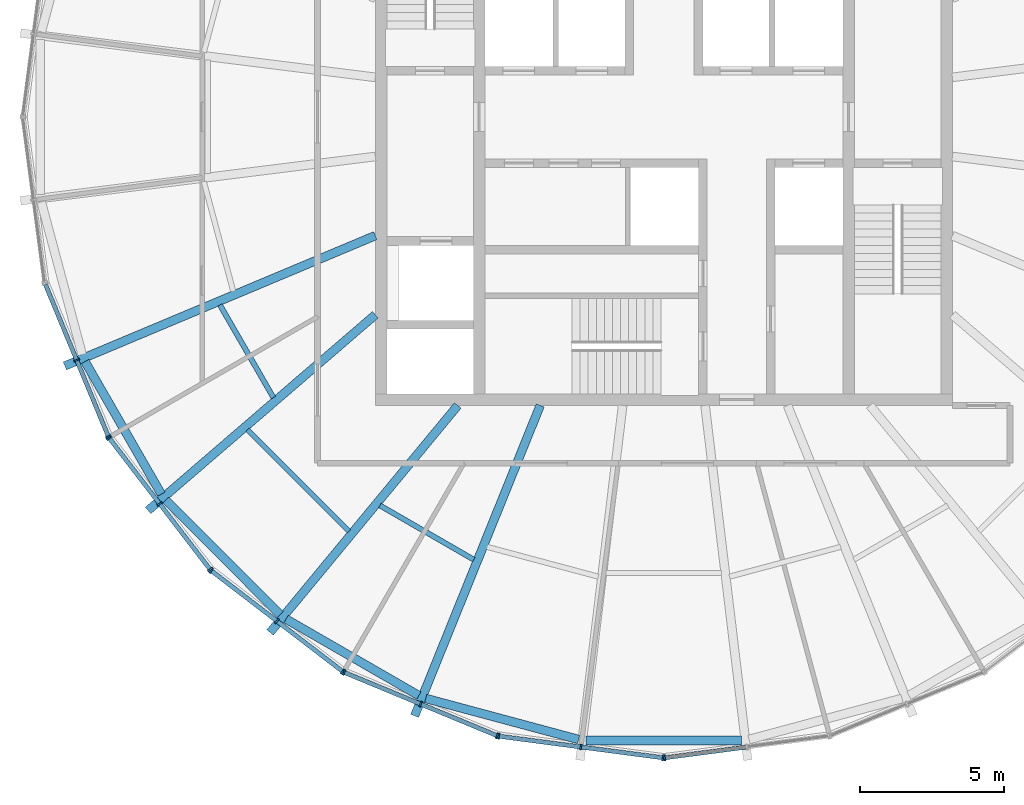
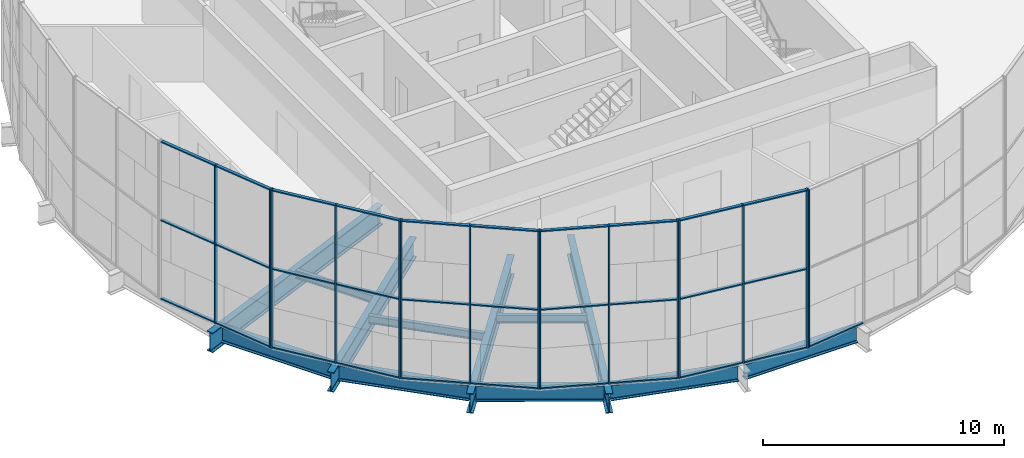
# One storey, part 1 of 19: 46 members, 12 beams, 6 elements without a shape of their own.
"""IFC4 building model written with IfcOpenShell, lengths in metres."""

from ifc_helpers import new_model, si_unit, direction, frame, origin, origin_2d, place, context, subcontext, project, spatial, rectangle, i_section, extrude, material, material_profile, profile_set, type_object, element, aggregate, save


model = new_model("IFC4")

# Units and contexts
model_context = context("Model", 3, precision=1e-05, world=origin(), true_north=direction((0.0, 1.0)))
body_context = subcontext(model_context, "Body", "Model", "MODEL_VIEW")
ifc_project = project(units=[si_unit("LENGTHUNIT", "METRE"), si_unit("AREAUNIT", "SQUARE_METRE"), si_unit("VOLUMEUNIT", "CUBIC_METRE"), si_unit("PLANEANGLEUNIT", "RADIAN"), si_unit("MASSUNIT", "GRAM", prefix="KILO")], contexts=[model_context])

# Site, building, storey
site_placement = place(None, origin())
site = spatial("IfcSite", under=ifc_project, at=site_placement, CompositionType="ELEMENT")
building_placement = place(site_placement, origin())
building = spatial("IfcBuilding", under=site, at=building_placement, Name="Golbaran Civic Tower", CompositionType="ELEMENT")
storey_placement = place(building_placement, frame((0.0, 0.0, 256.0)))
storey = spatial("IfcBuildingStorey", under=building, at=storey_placement, Name="L62", CompositionType="ELEMENT", Elevation=256.0)

# Beams
ifc_material_1 = material(Name="Steel S355", Category="steel")
ifc_material_profile_1 = material_profile(ifc_material_1, i_section(OverallWidth=0.300048828125, OverallDepth=0.800048828125, WebThickness=0.017578125, FlangeThickness=0.032958984375, FilletRadius=0.030029296875, at=origin_2d()), Name="HEB 800")
ifc_profile_set_1 = profile_set([ifc_material_profile_1], Name="Steel S355")
beam_type_1 = type_object("IfcBeamType", Name="EDGE BEAM HEB 800", PredefinedType="BEAM", material=ifc_profile_set_1)
beam_1_placement = place(storey_placement, frame((-20.058837890625, -8.4775390625, -0.60009765625), z_axis=(0.498581864812, -0.866842617827, 0.0), x_axis=(0.866842617827, 0.498581864812, 0.0)))
element("IfcBeam", 1, at=beam_1_placement, inside=storey, type_object=beam_type_1, Name="Edge beam 202.58 L62", PredefinedType="BEAM", context=body_context, shape_type="SweptSolid", body=[
    extrude(i_section(OverallWidth=0.300048828125, OverallDepth=0.800048828125, WebThickness=0.017578125, FlangeThickness=0.032958984375, FilletRadius=0.030029296875, at=origin_2d()), origin(), (0.0, 0.0, 1.0), 5.3017578125),
])
beam_2_placement = place(storey_placement, frame((-17.257568359375, -13.2802734375, -0.60009765625), z_axis=(0.706714343881, -0.707499000814, 0.0), x_axis=(0.707499000814, 0.706714343881, 0.0)))
element("IfcBeam", 2, at=beam_2_placement, inside=storey, type_object=beam_type_1, Name="Edge beam 217.42 L62", PredefinedType="BEAM", context=body_context, shape_type="SweptSolid", body=[
    extrude(i_section(OverallWidth=0.300048828125, OverallDepth=0.800048828125, WebThickness=0.017578125, FlangeThickness=0.032958984375, FilletRadius=0.030029296875, at=origin_2d()), origin(), (0.0, 0.0, 1.0), 5.6005859375),
])
beam_3_placement = place(storey_placement, frame((-13.093017578125, -17.40087890625, -0.60009765625), z_axis=(0.866418166458, -0.499319097203, 0.0), x_axis=(0.499319097203, 0.866418166458, 0.0)))
element("IfcBeam", 3, at=beam_3_placement, inside=storey, type_object=beam_type_1, Name="Edge beam 232.58 L62", PredefinedType="BEAM", context=body_context, shape_type="SweptSolid", body=[
    extrude(i_section(OverallWidth=0.300048828125, OverallDepth=0.800048828125, WebThickness=0.017578125, FlangeThickness=0.032958984375, FilletRadius=0.030029296875, at=origin_2d()), origin(), (0.0, 0.0, 1.0), 5.310546875),
])
beam_4_placement = place(storey_placement, frame((-8.251708984375, -20.152099609375, -0.60009765625), z_axis=(0.965784409485, -0.259346244228, 0.0), x_axis=(0.259346244228, 0.965784409485, 0.0)))
element("IfcBeam", 4, at=beam_4_placement, inside=storey, type_object=beam_type_1, Name="Edge beam 247.42 L62", PredefinedType="BEAM", context=body_context, shape_type="SweptSolid", body=[
    extrude(i_section(OverallWidth=0.300048828125, OverallDepth=0.800048828125, WebThickness=0.017578125, FlangeThickness=0.032958984375, FilletRadius=0.030029296875, at=origin_2d()), origin(), (0.0, 0.0, 1.0), 5.486328125),
])
beam_5_placement = place(storey_placement, frame((-2.6953125, -21.60888671875, -0.60009765625), z_axis=(1.0, 0.0, 0.0), x_axis=(0.0, 1.0, 0.0)))
element("IfcBeam", 5, at=beam_5_placement, inside=storey, type_object=beam_type_1, Name="Edge beam 262.58 L62", PredefinedType="BEAM", context=body_context, shape_type="SweptSolid", body=[
    extrude(i_section(OverallWidth=0.300048828125, OverallDepth=0.800048828125, WebThickness=0.017578125, FlangeThickness=0.032958984375, FilletRadius=0.030029296875, at=origin_2d()), origin(), (0.0, 0.0, 1.0), 5.390625),
])
ifc_material_profile_2 = material_profile(ifc_material_1, i_section(OverallWidth=0.179931640625, OverallDepth=0.39990234375, WebThickness=0.008544921875, FlangeThickness=0.013427734375, FilletRadius=0.02099609375, at=origin_2d()), Name="IPE 400")
ifc_profile_set_2 = profile_set([ifc_material_profile_2], Name="Steel S355")
beam_type_2 = type_object("IfcBeamType", Name="FLOOR INFILL BEAM IPE 400", PredefinedType="BEAM", material=ifc_profile_set_2)
beam_6_placement = place(storey_placement, frame((-15.38427734375, -6.515380859375, -0.39990234375), z_axis=(0.500005526257, -0.866022213175, 0.0), x_axis=(0.866022213175, 0.500005526257, 0.0)))
element("IfcBeam", 6, at=beam_6_placement, inside=storey, type_object=beam_type_2, Name="Infill beam 210.00 L62", PredefinedType="BEAM", context=body_context, shape_type="SweptSolid", body=[
    extrude(i_section(OverallWidth=0.179931640625, OverallDepth=0.39990234375, WebThickness=0.008544921875, FlangeThickness=0.013427734375, FilletRadius=0.02099609375, at=origin_2d()), origin(), (0.0, 0.0, 1.0), 3.7080078125),
])
beam_7_placement = place(storey_placement, frame((-14.427490234375, -10.842529296875, -0.39990234375), z_axis=(0.707106781187, -0.707106781187, 0.0), x_axis=(0.707106781187, 0.707106781187, 0.0)))
element("IfcBeam", 7, at=beam_7_placement, inside=storey, type_object=beam_type_2, Name="Infill beam 225.00 L62", PredefinedType="BEAM", context=body_context, shape_type="SweptSolid", body=[
    extrude(i_section(OverallWidth=0.179931640625, OverallDepth=0.39990234375, WebThickness=0.008544921875, FlangeThickness=0.013427734375, FilletRadius=0.02099609375, at=origin_2d()), origin(), (0.0, 0.0, 1.0), 4.9697265625),
])
beam_8_placement = place(storey_placement, frame((-9.8388671875, -13.465087890625, -0.39990234375), z_axis=(0.86603400694, -0.499985098601, 0.0), x_axis=(0.499985098601, 0.86603400694, 0.0)))
element("IfcBeam", 8, at=beam_8_placement, inside=storey, type_object=beam_type_2, Name="Infill beam 240.00 L62", PredefinedType="BEAM", context=body_context, shape_type="SweptSolid", body=[
    extrude(i_section(OverallWidth=0.179931640625, OverallDepth=0.39990234375, WebThickness=0.008544921875, FlangeThickness=0.013427734375, FilletRadius=0.02099609375, at=origin_2d()), origin(), (0.0, 0.0, 1.0), 3.7548828125),
])

# Curtain wall, members
ifc_material_2 = material(Name="Aluminium and glass", Category="aluminium")
curtain_wall_type = type_object("IfcCurtainWallType", Name="INNER SKIN CURTAIN WALL EXECUTIVE", PredefinedType="NOTDEFINED", material=ifc_material_2)
curtain_wall_1_placement = place(storey_placement, origin())
curtain_wall_1 = element("IfcCurtainWall", 9, at=curtain_wall_1_placement, inside=storey, type_object=curtain_wall_type, Name="Inner skin L62 facet 14 CW2", ObjectType="INNER SKIN", PredefinedType="USERDEFINED")
ifc_material_3 = material(Name="Aluminium", Category="aluminium")
ifc_material_profile_3 = material_profile(ifc_material_3, rectangle(XDim=0.199951171875, YDim=0.06005859375, at=origin_2d()), Name="INNER SKIN CURTAIN WALL EXECUTIVE MULLION")
ifc_profile_set_3 = profile_set([ifc_material_profile_3], Name="Aluminium")
member_type_1 = type_object("IfcMemberType", Name="INNER SKIN CURTAIN WALL EXECUTIVE MULLION", PredefinedType="MULLION", material=ifc_profile_set_3)
member_1_placement = place(storey_placement, frame((-20.3466796875, -8.427734375, 0.0), z_axis=(0.0, 0.0, 1.0), x_axis=(0.923879532511, 0.382683432365, 0.0)))
member_1 = element("IfcMember", 10, at=member_1_placement, type_object=member_type_1, Name="CW2 mullion 2", PredefinedType="MULLION", context=body_context, shape_type="SweptSolid", body=[
    extrude(rectangle(XDim=0.199951171875, YDim=0.06005859375, at=origin_2d()), origin(), (0.0, 0.0, 1.0), 8.0),
])
member_2_placement = place(storey_placement, frame((-19.24853515625, -11.078857421875, 0.0), z_axis=(0.0, 0.0, 1.0), x_axis=(0.923879532511, 0.382683432365, 0.0)))
member_2 = element("IfcMember", 11, at=member_2_placement, type_object=member_type_1, Name="CW2 mullion 3", PredefinedType="MULLION", context=body_context, shape_type="SweptSolid", body=[
    extrude(rectangle(XDim=0.199951171875, YDim=0.06005859375, at=origin_2d()), origin(), (0.0, 0.0, 1.0), 8.0),
])

curtain_wall_2_placement = place(storey_placement, origin())
curtain_wall_2 = element("IfcCurtainWall", 12, at=curtain_wall_2_placement, inside=storey, type_object=curtain_wall_type, Name="Inner skin L62 facet 15 CW2", ObjectType="INNER SKIN", PredefinedType="USERDEFINED")
member_3_placement = place(storey_placement, frame((-19.21875, -11.13037109375, 0.0), z_axis=(0.0, 0.0, 1.0), x_axis=(0.793353340238, 0.608761429078, 0.0)))
member_3 = element("IfcMember", 13, at=member_3_placement, type_object=member_type_1, Name="CW2 mullion 1", PredefinedType="MULLION", context=body_context, shape_type="SweptSolid", body=[
    extrude(rectangle(XDim=0.199951171875, YDim=0.06005859375, at=origin_2d()), origin(), (0.0, 0.0, 1.0), 8.0),
])
member_4_placement = place(storey_placement, frame((-17.471923828125, -13.40673828125, 0.0), z_axis=(0.0, 0.0, 1.0), x_axis=(0.793353340238, 0.608761429078, 0.0)))
member_4 = element("IfcMember", 14, at=member_4_placement, type_object=member_type_1, Name="CW2 mullion 2", PredefinedType="MULLION", context=body_context, shape_type="SweptSolid", body=[
    extrude(rectangle(XDim=0.199951171875, YDim=0.06005859375, at=origin_2d()), origin(), (0.0, 0.0, 1.0), 8.0),
])
member_5_placement = place(storey_placement, frame((-15.725341796875, -15.68310546875, 0.0), z_axis=(0.0, 0.0, 1.0), x_axis=(0.793353340238, 0.608761429078, 0.0)))
member_5 = element("IfcMember", 15, at=member_5_placement, type_object=member_type_1, Name="CW2 mullion 3", PredefinedType="MULLION", context=body_context, shape_type="SweptSolid", body=[
    extrude(rectangle(XDim=0.199951171875, YDim=0.06005859375, at=origin_2d()), origin(), (0.0, 0.0, 1.0), 8.0),
])

curtain_wall_3_placement = place(storey_placement, origin())
curtain_wall_3 = element("IfcCurtainWall", 16, at=curtain_wall_3_placement, inside=storey, type_object=curtain_wall_type, Name="Inner skin L62 facet 16 CW2", ObjectType="INNER SKIN", PredefinedType="USERDEFINED")
member_6_placement = place(storey_placement, frame((-15.68310546875, -15.725341796875, 0.0), z_axis=(0.0, 0.0, 1.0), x_axis=(0.608761429078, 0.793353340238, 0.0)))
member_6 = element("IfcMember", 17, at=member_6_placement, type_object=member_type_1, Name="CW2 mullion 1", PredefinedType="MULLION", context=body_context, shape_type="SweptSolid", body=[
    extrude(rectangle(XDim=0.199951171875, YDim=0.06005859375, at=origin_2d()), origin(), (0.0, 0.0, 1.0), 8.0),
])
member_7_placement = place(storey_placement, frame((-13.40673828125, -17.471923828125, 0.0), z_axis=(0.0, 0.0, 1.0), x_axis=(0.608761429078, 0.793353340238, 0.0)))
member_7 = element("IfcMember", 18, at=member_7_placement, type_object=member_type_1, Name="CW2 mullion 2", PredefinedType="MULLION", context=body_context, shape_type="SweptSolid", body=[
    extrude(rectangle(XDim=0.199951171875, YDim=0.06005859375, at=origin_2d()), origin(), (0.0, 0.0, 1.0), 8.0),
])
member_8_placement = place(storey_placement, frame((-11.13037109375, -19.21875, 0.0), z_axis=(0.0, 0.0, 1.0), x_axis=(0.608761429078, 0.793353340238, 0.0)))
member_8 = element("IfcMember", 19, at=member_8_placement, type_object=member_type_1, Name="CW2 mullion 3", PredefinedType="MULLION", context=body_context, shape_type="SweptSolid", body=[
    extrude(rectangle(XDim=0.199951171875, YDim=0.06005859375, at=origin_2d()), origin(), (0.0, 0.0, 1.0), 8.0),
])

curtain_wall_4_placement = place(storey_placement, origin())
curtain_wall_4 = element("IfcCurtainWall", 20, at=curtain_wall_4_placement, inside=storey, type_object=curtain_wall_type, Name="Inner skin L62 facet 17 CW2", ObjectType="INNER SKIN", PredefinedType="USERDEFINED")
member_9_placement = place(storey_placement, frame((-11.078857421875, -19.24853515625, 0.0), z_axis=(0.0, 0.0, 1.0), x_axis=(0.382683432365, 0.923879532511, 0.0)))
member_9 = element("IfcMember", 21, at=member_9_placement, type_object=member_type_1, Name="CW2 mullion 1", PredefinedType="MULLION", context=body_context, shape_type="SweptSolid", body=[
    extrude(rectangle(XDim=0.199951171875, YDim=0.06005859375, at=origin_2d()), origin(), (0.0, 0.0, 1.0), 8.0),
])
member_10_placement = place(storey_placement, frame((-8.427734375, -20.3466796875, 0.0), z_axis=(0.0, 0.0, 1.0), x_axis=(0.382683432365, 0.923879532511, 0.0)))
member_10 = element("IfcMember", 22, at=member_10_placement, type_object=member_type_1, Name="CW2 mullion 2", PredefinedType="MULLION", context=body_context, shape_type="SweptSolid", body=[
    extrude(rectangle(XDim=0.199951171875, YDim=0.06005859375, at=origin_2d()), origin(), (0.0, 0.0, 1.0), 8.0),
])
member_11_placement = place(storey_placement, frame((-5.77685546875, -21.444580078125, 0.0), z_axis=(0.0, 0.0, 1.0), x_axis=(0.382683432365, 0.923879532511, 0.0)))
member_11 = element("IfcMember", 23, at=member_11_placement, type_object=member_type_1, Name="CW2 mullion 3", PredefinedType="MULLION", context=body_context, shape_type="SweptSolid", body=[
    extrude(rectangle(XDim=0.199951171875, YDim=0.06005859375, at=origin_2d()), origin(), (0.0, 0.0, 1.0), 8.0),
])

curtain_wall_5_placement = place(storey_placement, origin())
curtain_wall_5 = element("IfcCurtainWall", 24, at=curtain_wall_5_placement, inside=storey, type_object=curtain_wall_type, Name="Inner skin L62 facet 18 CW2", ObjectType="INNER SKIN", PredefinedType="USERDEFINED")
member_12_placement = place(storey_placement, frame((-5.719482421875, -21.4599609375, 0.0), z_axis=(0.0, 0.0, 1.0), x_axis=(0.130526192272, 0.991444861367, 0.0)))
member_12 = element("IfcMember", 25, at=member_12_placement, type_object=member_type_1, Name="CW2 mullion 1", PredefinedType="MULLION", context=body_context, shape_type="SweptSolid", body=[
    extrude(rectangle(XDim=0.199951171875, YDim=0.06005859375, at=origin_2d()), origin(), (0.0, 0.0, 1.0), 8.0),
])
member_13_placement = place(storey_placement, frame((-2.87451171875, -21.83447265625, 0.0), z_axis=(0.0, 0.0, 1.0), x_axis=(0.130526192272, 0.991444861367, 0.0)))
member_13 = element("IfcMember", 26, at=member_13_placement, type_object=member_type_1, Name="CW2 mullion 2", PredefinedType="MULLION", context=body_context, shape_type="SweptSolid", body=[
    extrude(rectangle(XDim=0.199951171875, YDim=0.06005859375, at=origin_2d()), origin(), (0.0, 0.0, 1.0), 8.0),
])
member_14_placement = place(storey_placement, frame((-0.02978515625, -22.208984375, 0.0), z_axis=(0.0, 0.0, 1.0), x_axis=(0.130526192272, 0.991444861367, 0.0)))
member_14 = element("IfcMember", 27, at=member_14_placement, type_object=member_type_1, Name="CW2 mullion 3", PredefinedType="MULLION", context=body_context, shape_type="SweptSolid", body=[
    extrude(rectangle(XDim=0.199951171875, YDim=0.06005859375, at=origin_2d()), origin(), (0.0, 0.0, 1.0), 8.0),
])

# Curtain wall, member
curtain_wall_6_placement = place(storey_placement, origin())
curtain_wall_6 = element("IfcCurtainWall", 28, at=curtain_wall_6_placement, inside=storey, type_object=curtain_wall_type, Name="Inner skin L62 facet 19 CW2", ObjectType="INNER SKIN", PredefinedType="USERDEFINED")
member_15_placement = place(storey_placement, frame((0.02978515625, -22.208984375, 0.0), z_axis=(0.0, 0.0, 1.0), x_axis=(-0.130526192272, 0.991444861367, 0.0)))
member_15 = element("IfcMember", 29, at=member_15_placement, type_object=member_type_1, Name="CW2 mullion 1", PredefinedType="MULLION", context=body_context, shape_type="SweptSolid", body=[
    extrude(rectangle(XDim=0.199951171875, YDim=0.06005859375, at=origin_2d()), origin(), (0.0, 0.0, 1.0), 8.0),
])

# Member
ifc_material_profile_4 = material_profile(ifc_material_3, rectangle(XDim=0.14990234375, YDim=0.06005859375, at=origin_2d()), Name="INNER SKIN CURTAIN WALL EXECUTIVE TRANSOM")
ifc_profile_set_4 = profile_set([ifc_material_profile_4], Name="Aluminium")
member_type_2 = type_object("IfcMemberType", Name="INNER SKIN CURTAIN WALL EXECUTIVE TRANSOM", PredefinedType="USERDEFINED", material=ifc_profile_set_4)
member_16_placement = place(storey_placement, frame((-21.43310546875, -5.8046875, 0.030029296875), z_axis=(0.382646017682, -0.923895029293, 0.0), x_axis=(0.923895029293, 0.382646017682, 0.0)))
member_16 = element("IfcMember", 30, at=member_16_placement, type_object=member_type_2, Name="CW2 transom 1.1", ObjectType="TRANSOM", PredefinedType="USERDEFINED", context=body_context, shape_type="SweptSolid", body=[
    extrude(rectangle(XDim=0.14990234375, YDim=0.06005859375, at=origin_2d()), origin(), (0.0, 0.0, 1.0), 2.809326171875),
])

member_17_placement = place(storey_placement, frame((-21.43310546875, -5.8046875, 4.0), z_axis=(0.382646017682, -0.923895029293, 0.0), x_axis=(0.923895029293, 0.382646017682, 0.0)))
member_17 = element("IfcMember", 31, at=member_17_placement, type_object=member_type_2, Name="CW2 transom 1.2", ObjectType="TRANSOM", PredefinedType="USERDEFINED", context=body_context, shape_type="SweptSolid", body=[
    extrude(rectangle(XDim=0.14990234375, YDim=0.06005859375, at=origin_2d()), origin(), (0.0, 0.0, 1.0), 2.809326171875),
])

member_18_placement = place(storey_placement, frame((-21.43310546875, -5.8046875, 7.969970703125), z_axis=(0.382646017682, -0.923895029293, 0.0), x_axis=(0.923895029293, 0.382646017682, 0.0)))
member_18 = element("IfcMember", 32, at=member_18_placement, type_object=member_type_2, Name="CW2 transom 1.3", ObjectType="TRANSOM", PredefinedType="USERDEFINED", context=body_context, shape_type="SweptSolid", body=[
    extrude(rectangle(XDim=0.14990234375, YDim=0.06005859375, at=origin_2d()), origin(), (0.0, 0.0, 1.0), 2.809326171875),
])

member_19_placement = place(storey_placement, frame((-20.335205078125, -8.45556640625, 0.030029296875), z_axis=(0.382720195168, -0.923864304003, 0.0), x_axis=(0.923864304003, 0.382720195168, 0.0)))
member_19 = element("IfcMember", 33, at=member_19_placement, type_object=member_type_2, Name="CW2 transom 2.1", ObjectType="TRANSOM", PredefinedType="USERDEFINED", context=body_context, shape_type="SweptSolid", body=[
    extrude(rectangle(XDim=0.14990234375, YDim=0.06005859375, at=origin_2d()), origin(), (0.0, 0.0, 1.0), 2.809326171875),
])

member_20_placement = place(storey_placement, frame((-20.335205078125, -8.45556640625, 4.0), z_axis=(0.382720195168, -0.923864304003, 0.0), x_axis=(0.923864304003, 0.382720195168, 0.0)))
member_20 = element("IfcMember", 34, at=member_20_placement, type_object=member_type_2, Name="CW2 transom 2.2", ObjectType="TRANSOM", PredefinedType="USERDEFINED", context=body_context, shape_type="SweptSolid", body=[
    extrude(rectangle(XDim=0.14990234375, YDim=0.06005859375, at=origin_2d()), origin(), (0.0, 0.0, 1.0), 2.809326171875),
])

member_21_placement = place(storey_placement, frame((-20.335205078125, -8.45556640625, 7.969970703125), z_axis=(0.382720195168, -0.923864304003, 0.0), x_axis=(0.923864304003, 0.382720195168, 0.0)))
member_21 = element("IfcMember", 35, at=member_21_placement, type_object=member_type_2, Name="CW2 transom 2.3", ObjectType="TRANSOM", PredefinedType="USERDEFINED", context=body_context, shape_type="SweptSolid", body=[
    extrude(rectangle(XDim=0.14990234375, YDim=0.06005859375, at=origin_2d()), origin(), (0.0, 0.0, 1.0), 2.809326171875),
])

aggregate(curtain_wall_1, [member_1, member_2, member_16, member_17, member_18, member_19, member_20, member_21])

member_22_placement = place(storey_placement, frame((-19.200439453125, -11.154052734375, 0.030029296875), z_axis=(0.608765363283, -0.793350321401, 0.0), x_axis=(0.793350321401, 0.608765363283, 0.0)))
member_22 = element("IfcMember", 36, at=member_22_placement, type_object=member_type_2, Name="CW2 transom 1.1", ObjectType="TRANSOM", PredefinedType="USERDEFINED", context=body_context, shape_type="SweptSolid", body=[
    extrude(rectangle(XDim=0.14990234375, YDim=0.06005859375, at=origin_2d()), origin(), (0.0, 0.0, 1.0), 2.809326171875),
])

member_23_placement = place(storey_placement, frame((-19.200439453125, -11.154052734375, 4.0), z_axis=(0.608765363283, -0.793350321401, 0.0), x_axis=(0.793350321401, 0.608765363283, 0.0)))
member_23 = element("IfcMember", 37, at=member_23_placement, type_object=member_type_2, Name="CW2 transom 1.2", ObjectType="TRANSOM", PredefinedType="USERDEFINED", context=body_context, shape_type="SweptSolid", body=[
    extrude(rectangle(XDim=0.14990234375, YDim=0.06005859375, at=origin_2d()), origin(), (0.0, 0.0, 1.0), 2.809326171875),
])

member_24_placement = place(storey_placement, frame((-19.200439453125, -11.154052734375, 7.969970703125), z_axis=(0.608765363283, -0.793350321401, 0.0), x_axis=(0.793350321401, 0.608765363283, 0.0)))
member_24 = element("IfcMember", 38, at=member_24_placement, type_object=member_type_2, Name="CW2 transom 1.3", ObjectType="TRANSOM", PredefinedType="USERDEFINED", context=body_context, shape_type="SweptSolid", body=[
    extrude(rectangle(XDim=0.14990234375, YDim=0.06005859375, at=origin_2d()), origin(), (0.0, 0.0, 1.0), 2.809326171875),
])

member_25_placement = place(storey_placement, frame((-17.45361328125, -13.430419921875, 0.030029296875), z_axis=(0.608723393608, -0.793382524432, 0.0), x_axis=(0.793382524432, 0.608723393608, 0.0)))
member_25 = element("IfcMember", 39, at=member_25_placement, type_object=member_type_2, Name="CW2 transom 2.1", ObjectType="TRANSOM", PredefinedType="USERDEFINED", context=body_context, shape_type="SweptSolid", body=[
    extrude(rectangle(XDim=0.14990234375, YDim=0.06005859375, at=origin_2d()), origin(), (0.0, 0.0, 1.0), 2.8095703125),
])

member_26_placement = place(storey_placement, frame((-17.45361328125, -13.430419921875, 4.0), z_axis=(0.608723393608, -0.793382524432, 0.0), x_axis=(0.793382524432, 0.608723393608, 0.0)))
member_26 = element("IfcMember", 40, at=member_26_placement, type_object=member_type_2, Name="CW2 transom 2.2", ObjectType="TRANSOM", PredefinedType="USERDEFINED", context=body_context, shape_type="SweptSolid", body=[
    extrude(rectangle(XDim=0.14990234375, YDim=0.06005859375, at=origin_2d()), origin(), (0.0, 0.0, 1.0), 2.8095703125),
])

member_27_placement = place(storey_placement, frame((-17.45361328125, -13.430419921875, 7.969970703125), z_axis=(0.608723393608, -0.793382524432, 0.0), x_axis=(0.793382524432, 0.608723393608, 0.0)))
member_27 = element("IfcMember", 41, at=member_27_placement, type_object=member_type_2, Name="CW2 transom 2.3", ObjectType="TRANSOM", PredefinedType="USERDEFINED", context=body_context, shape_type="SweptSolid", body=[
    extrude(rectangle(XDim=0.14990234375, YDim=0.06005859375, at=origin_2d()), origin(), (0.0, 0.0, 1.0), 2.8095703125),
])

aggregate(curtain_wall_2, [member_3, member_4, member_5, member_22, member_23, member_24, member_25, member_26, member_27])

member_28_placement = place(storey_placement, frame((-15.659423828125, -15.743408203125, 0.030029296875), z_axis=(0.793382524432, -0.608723393608, 0.0), x_axis=(0.608723393608, 0.793382524432, 0.0)))
member_28 = element("IfcMember", 42, at=member_28_placement, type_object=member_type_2, Name="CW2 transom 1.1", ObjectType="TRANSOM", PredefinedType="USERDEFINED", context=body_context, shape_type="SweptSolid", body=[
    extrude(rectangle(XDim=0.14990234375, YDim=0.06005859375, at=origin_2d()), origin(), (0.0, 0.0, 1.0), 2.8095703125),
])

member_29_placement = place(storey_placement, frame((-15.659423828125, -15.743408203125, 4.0), z_axis=(0.793382524432, -0.608723393608, 0.0), x_axis=(0.608723393608, 0.793382524432, 0.0)))
member_29 = element("IfcMember", 43, at=member_29_placement, type_object=member_type_2, Name="CW2 transom 1.2", ObjectType="TRANSOM", PredefinedType="USERDEFINED", context=body_context, shape_type="SweptSolid", body=[
    extrude(rectangle(XDim=0.14990234375, YDim=0.06005859375, at=origin_2d()), origin(), (0.0, 0.0, 1.0), 2.8095703125),
])

member_30_placement = place(storey_placement, frame((-15.659423828125, -15.743408203125, 7.969970703125), z_axis=(0.793382524432, -0.608723393608, 0.0), x_axis=(0.608723393608, 0.793382524432, 0.0)))
member_30 = element("IfcMember", 44, at=member_30_placement, type_object=member_type_2, Name="CW2 transom 1.3", ObjectType="TRANSOM", PredefinedType="USERDEFINED", context=body_context, shape_type="SweptSolid", body=[
    extrude(rectangle(XDim=0.14990234375, YDim=0.06005859375, at=origin_2d()), origin(), (0.0, 0.0, 1.0), 2.8095703125),
])

member_31_placement = place(storey_placement, frame((-13.3828125, -17.490234375, 0.030029296875), z_axis=(0.793350321401, -0.608765363283, 0.0), x_axis=(0.608765363283, 0.793350321401, 0.0)))
member_31 = element("IfcMember", 45, at=member_31_placement, type_object=member_type_2, Name="CW2 transom 2.1", ObjectType="TRANSOM", PredefinedType="USERDEFINED", context=body_context, shape_type="SweptSolid", body=[
    extrude(rectangle(XDim=0.14990234375, YDim=0.06005859375, at=origin_2d()), origin(), (0.0, 0.0, 1.0), 2.809326171875),
])

member_32_placement = place(storey_placement, frame((-13.3828125, -17.490234375, 4.0), z_axis=(0.793350321401, -0.608765363283, 0.0), x_axis=(0.608765363283, 0.793350321401, 0.0)))
member_32 = element("IfcMember", 46, at=member_32_placement, type_object=member_type_2, Name="CW2 transom 2.2", ObjectType="TRANSOM", PredefinedType="USERDEFINED", context=body_context, shape_type="SweptSolid", body=[
    extrude(rectangle(XDim=0.14990234375, YDim=0.06005859375, at=origin_2d()), origin(), (0.0, 0.0, 1.0), 2.809326171875),
])

member_33_placement = place(storey_placement, frame((-13.3828125, -17.490234375, 7.969970703125), z_axis=(0.793350321401, -0.608765363283, 0.0), x_axis=(0.608765363283, 0.793350321401, 0.0)))
member_33 = element("IfcMember", 47, at=member_33_placement, type_object=member_type_2, Name="CW2 transom 2.3", ObjectType="TRANSOM", PredefinedType="USERDEFINED", context=body_context, shape_type="SweptSolid", body=[
    extrude(rectangle(XDim=0.14990234375, YDim=0.06005859375, at=origin_2d()), origin(), (0.0, 0.0, 1.0), 2.809326171875),
])

aggregate(curtain_wall_3, [member_6, member_7, member_8, member_28, member_29, member_30, member_31, member_32, member_33])

member_34_placement = place(storey_placement, frame((-11.051025390625, -19.260009765625, 0.030029296875), z_axis=(0.923864304003, -0.382720195168, 0.0), x_axis=(0.382720195168, 0.923864304003, 0.0)))
member_34 = element("IfcMember", 48, at=member_34_placement, type_object=member_type_2, Name="CW2 transom 1.1", ObjectType="TRANSOM", PredefinedType="USERDEFINED", context=body_context, shape_type="SweptSolid", body=[
    extrude(rectangle(XDim=0.14990234375, YDim=0.06005859375, at=origin_2d()), origin(), (0.0, 0.0, 1.0), 2.809326171875),
])

member_35_placement = place(storey_placement, frame((-11.051025390625, -19.260009765625, 4.0), z_axis=(0.923864304003, -0.382720195168, 0.0), x_axis=(0.382720195168, 0.923864304003, 0.0)))
member_35 = element("IfcMember", 49, at=member_35_placement, type_object=member_type_2, Name="CW2 transom 1.2", ObjectType="TRANSOM", PredefinedType="USERDEFINED", context=body_context, shape_type="SweptSolid", body=[
    extrude(rectangle(XDim=0.14990234375, YDim=0.06005859375, at=origin_2d()), origin(), (0.0, 0.0, 1.0), 2.809326171875),
])

member_36_placement = place(storey_placement, frame((-11.051025390625, -19.260009765625, 7.969970703125), z_axis=(0.923864304003, -0.382720195168, 0.0), x_axis=(0.382720195168, 0.923864304003, 0.0)))
member_36 = element("IfcMember", 50, at=member_36_placement, type_object=member_type_2, Name="CW2 transom 1.3", ObjectType="TRANSOM", PredefinedType="USERDEFINED", context=body_context, shape_type="SweptSolid", body=[
    extrude(rectangle(XDim=0.14990234375, YDim=0.06005859375, at=origin_2d()), origin(), (0.0, 0.0, 1.0), 2.809326171875),
])

member_37_placement = place(storey_placement, frame((-8.400146484375, -20.358154296875, 0.030029296875), z_axis=(0.923895029293, -0.382646017682, 0.0), x_axis=(0.382646017682, 0.923895029293, 0.0)))
member_37 = element("IfcMember", 51, at=member_37_placement, type_object=member_type_2, Name="CW2 transom 2.1", ObjectType="TRANSOM", PredefinedType="USERDEFINED", context=body_context, shape_type="SweptSolid", body=[
    extrude(rectangle(XDim=0.14990234375, YDim=0.06005859375, at=origin_2d()), origin(), (0.0, 0.0, 1.0), 2.809326171875),
])

member_38_placement = place(storey_placement, frame((-8.400146484375, -20.358154296875, 4.0), z_axis=(0.923895029293, -0.382646017682, 0.0), x_axis=(0.382646017682, 0.923895029293, 0.0)))
member_38 = element("IfcMember", 52, at=member_38_placement, type_object=member_type_2, Name="CW2 transom 2.2", ObjectType="TRANSOM", PredefinedType="USERDEFINED", context=body_context, shape_type="SweptSolid", body=[
    extrude(rectangle(XDim=0.14990234375, YDim=0.06005859375, at=origin_2d()), origin(), (0.0, 0.0, 1.0), 2.809326171875),
])

member_39_placement = place(storey_placement, frame((-8.400146484375, -20.358154296875, 7.969970703125), z_axis=(0.923895029293, -0.382646017682, 0.0), x_axis=(0.382646017682, 0.923895029293, 0.0)))
member_39 = element("IfcMember", 53, at=member_39_placement, type_object=member_type_2, Name="CW2 transom 2.3", ObjectType="TRANSOM", PredefinedType="USERDEFINED", context=body_context, shape_type="SweptSolid", body=[
    extrude(rectangle(XDim=0.14990234375, YDim=0.06005859375, at=origin_2d()), origin(), (0.0, 0.0, 1.0), 2.809326171875),
])

aggregate(curtain_wall_4, [member_9, member_10, member_11, member_34, member_35, member_36, member_37, member_38, member_39])

member_40_placement = place(storey_placement, frame((-5.689697265625, -21.4638671875, 0.030029296875), z_axis=(0.991445123903, -0.130524198098, 0.0), x_axis=(0.130524198098, 0.991445123903, 0.0)))
member_40 = element("IfcMember", 54, at=member_40_placement, type_object=member_type_2, Name="CW2 transom 1.1", ObjectType="TRANSOM", PredefinedType="USERDEFINED", context=body_context, shape_type="SweptSolid", body=[
    extrude(rectangle(XDim=0.14990234375, YDim=0.06005859375, at=origin_2d()), origin(), (0.0, 0.0, 1.0), 2.809326171875),
])

member_41_placement = place(storey_placement, frame((-5.689697265625, -21.4638671875, 4.0), z_axis=(0.991445123903, -0.130524198098, 0.0), x_axis=(0.130524198098, 0.991445123903, 0.0)))
member_41 = element("IfcMember", 55, at=member_41_placement, type_object=member_type_2, Name="CW2 transom 1.2", ObjectType="TRANSOM", PredefinedType="USERDEFINED", context=body_context, shape_type="SweptSolid", body=[
    extrude(rectangle(XDim=0.14990234375, YDim=0.06005859375, at=origin_2d()), origin(), (0.0, 0.0, 1.0), 2.809326171875),
])

member_42_placement = place(storey_placement, frame((-5.689697265625, -21.4638671875, 7.969970703125), z_axis=(0.991445123903, -0.130524198098, 0.0), x_axis=(0.130524198098, 0.991445123903, 0.0)))
member_42 = element("IfcMember", 56, at=member_42_placement, type_object=member_type_2, Name="CW2 transom 1.3", ObjectType="TRANSOM", PredefinedType="USERDEFINED", context=body_context, shape_type="SweptSolid", body=[
    extrude(rectangle(XDim=0.14990234375, YDim=0.06005859375, at=origin_2d()), origin(), (0.0, 0.0, 1.0), 2.809326171875),
])

member_43_placement = place(storey_placement, frame((-2.8447265625, -21.83837890625, 0.030029296875), z_axis=(0.991443643229, -0.130535444612, 0.0), x_axis=(0.130535444612, 0.991443643229, 0.0)))
member_43 = element("IfcMember", 57, at=member_43_placement, type_object=member_type_2, Name="CW2 transom 2.1", ObjectType="TRANSOM", PredefinedType="USERDEFINED", context=body_context, shape_type="SweptSolid", body=[
    extrude(rectangle(XDim=0.14990234375, YDim=0.06005859375, at=origin_2d()), origin(), (0.0, 0.0, 1.0), 2.80908203125),
])

member_44_placement = place(storey_placement, frame((-2.8447265625, -21.83837890625, 4.0), z_axis=(0.991443643229, -0.130535444612, 0.0), x_axis=(0.130535444612, 0.991443643229, 0.0)))
member_44 = element("IfcMember", 58, at=member_44_placement, type_object=member_type_2, Name="CW2 transom 2.2", ObjectType="TRANSOM", PredefinedType="USERDEFINED", context=body_context, shape_type="SweptSolid", body=[
    extrude(rectangle(XDim=0.14990234375, YDim=0.06005859375, at=origin_2d()), origin(), (0.0, 0.0, 1.0), 2.80908203125),
])

member_45_placement = place(storey_placement, frame((-2.8447265625, -21.83837890625, 7.969970703125), z_axis=(0.991443643229, -0.130535444612, 0.0), x_axis=(0.130535444612, 0.991443643229, 0.0)))
member_45 = element("IfcMember", 59, at=member_45_placement, type_object=member_type_2, Name="CW2 transom 2.3", ObjectType="TRANSOM", PredefinedType="USERDEFINED", context=body_context, shape_type="SweptSolid", body=[
    extrude(rectangle(XDim=0.14990234375, YDim=0.06005859375, at=origin_2d()), origin(), (0.0, 0.0, 1.0), 2.80908203125),
])

aggregate(curtain_wall_5, [member_12, member_13, member_14, member_40, member_41, member_42, member_43, member_44, member_45])

member_46_placement = place(storey_placement, frame((0.0595703125, -22.205078125, 0.030029296875), z_axis=(0.991443643229, 0.130535444612, 0.0), x_axis=(-0.130535444612, 0.991443643229, 0.0)))
member_46 = element("IfcMember", 60, at=member_46_placement, type_object=member_type_2, Name="CW2 transom 1.1", ObjectType="TRANSOM", PredefinedType="USERDEFINED", context=body_context, shape_type="SweptSolid", body=[
    extrude(rectangle(XDim=0.14990234375, YDim=0.06005859375, at=origin_2d()), origin(), (0.0, 0.0, 1.0), 2.80908203125),
])

aggregate(curtain_wall_6, [member_15, member_46])

# Beams
ifc_material_profile_5 = material_profile(ifc_material_1, i_section(OverallWidth=0.300048828125, OverallDepth=1.0, WebThickness=0.01904296875, FlangeThickness=0.035888671875, FilletRadius=0.030029296875, at=origin_2d()), Name="HEB 1000")
ifc_profile_set_5 = profile_set([ifc_material_profile_5], Name="Steel S355")
beam_type_3 = type_object("IfcBeamType", Name="RADIAL FLOOR BEAM HEB 1000", PredefinedType="BEAM", material=ifc_profile_set_5)
beam_9_placement = place(storey_placement, frame((-10.0, -4.1142578125, -0.7099609375), z_axis=(-0.922066502889, -0.387031477078, 0.0), x_axis=(0.387031477078, -0.922066502889, 0.0)))
element("IfcBeam", 61, at=beam_9_placement, inside=storey, type_object=beam_type_3, Name="Radial beam 202.58 L62", PredefinedType="BEAM", context=body_context, shape_type="SweptSolid", body=[
    extrude(i_section(OverallWidth=0.300048828125, OverallDepth=1.0, WebThickness=0.01904296875, FlangeThickness=0.035888671875, FilletRadius=0.030029296875, at=origin_2d()), origin(), (0.0, 0.0, 1.0), 11.667236328125),
])
beam_10_placement = place(storey_placement, frame((-10.0, -6.857177734375, -0.7099609375), z_axis=(-0.757663917113, -0.65264491778, 0.0), x_axis=(0.65264491778, -0.757663917113, 0.0)))
element("IfcBeam", 62, at=beam_10_placement, inside=storey, type_object=beam_type_3, Name="Radial beam 217.42 L62", PredefinedType="BEAM", context=body_context, shape_type="SweptSolid", body=[
    extrude(i_section(OverallWidth=0.300048828125, OverallDepth=1.0, WebThickness=0.01904296875, FlangeThickness=0.035888671875, FilletRadius=0.030029296875, at=origin_2d()), origin(), (0.0, 0.0, 1.0), 10.3916015625),
])
beam_11_placement = place(storey_placement, frame((-7.142822265625, -10.0, -0.7099609375), z_axis=(-0.637203438568, -0.770695645425, 0.0), x_axis=(0.770695645425, -0.637203438568, 0.0)))
element("IfcBeam", 63, at=beam_11_placement, inside=storey, type_object=beam_type_3, Name="Radial beam 232.58 L62", PredefinedType="BEAM", context=body_context, shape_type="SweptSolid", body=[
    extrude(i_section(OverallWidth=0.300048828125, OverallDepth=1.0, WebThickness=0.01904296875, FlangeThickness=0.035888671875, FilletRadius=0.030029296875, at=origin_2d()), origin(), (0.0, 0.0, 1.0), 10.20703125),
])
beam_12_placement = place(storey_placement, frame((-4.28564453125, -10.0, -0.7099609375), z_axis=(-0.374972341927, -0.927035998648, 0.0), x_axis=(0.927035998648, -0.374972341927, 0.0)))
element("IfcBeam", 64, at=beam_12_placement, inside=storey, type_object=beam_type_3, Name="Radial beam 247.42 L62", PredefinedType="BEAM", context=body_context, shape_type="SweptSolid", body=[
    extrude(i_section(OverallWidth=0.300048828125, OverallDepth=1.0, WebThickness=0.01904296875, FlangeThickness=0.035888671875, FilletRadius=0.030029296875, at=origin_2d()), origin(), (0.0, 0.0, 1.0), 11.6025390625),
])

save(model, "model.ifc")
